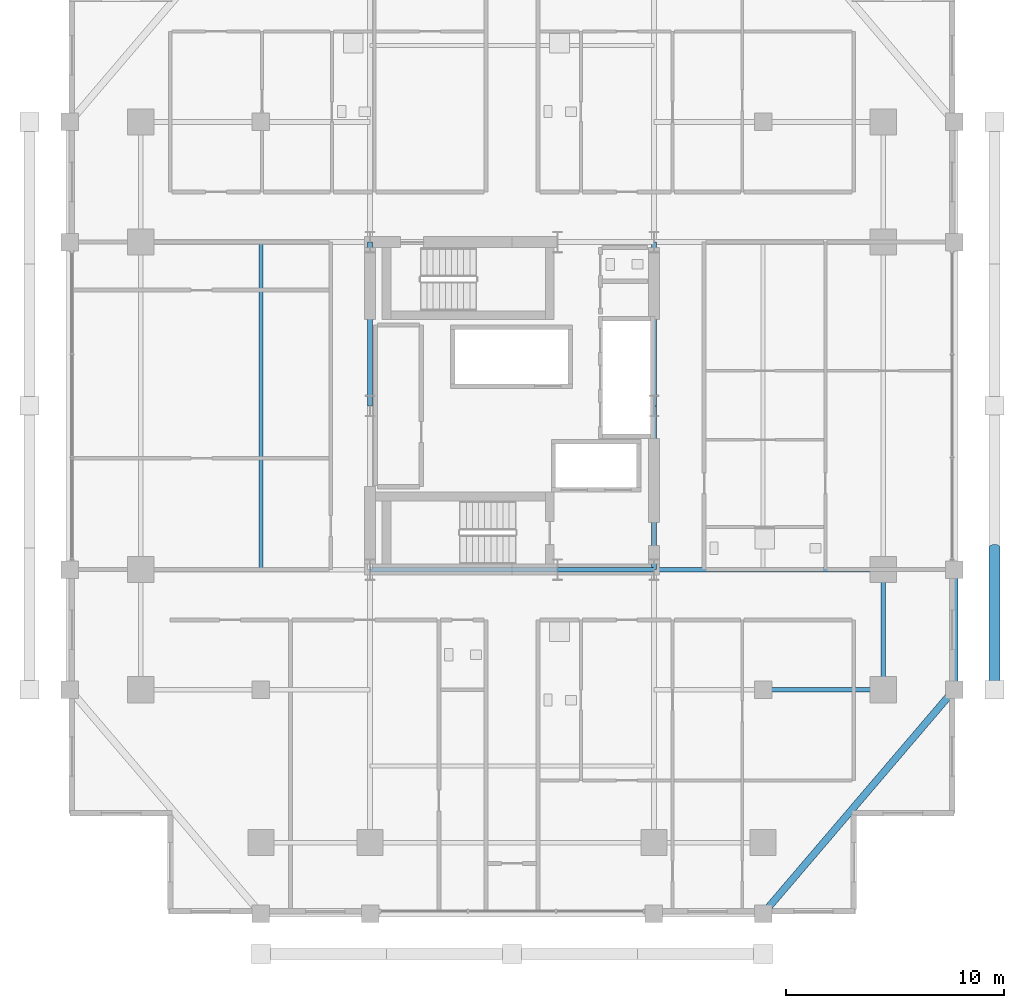
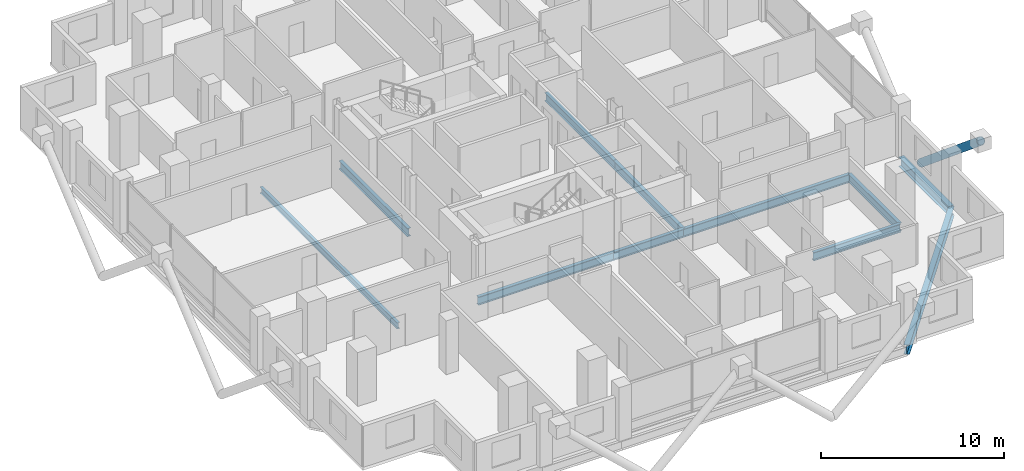
# One storey, part 7 of 23: 11 beams, 1 member.
"""IFC4 building model written with IfcOpenShell, lengths in metres."""

from ifc_helpers import new_model, si_unit, direction, frame, origin, origin_2d, place, context, subcontext, project, spatial, hollow_circle, i_section, extrude, material, material_profile, profile_set, type_object, element, save


model = new_model("IFC4")

# Units and contexts
model_context = context("Model", 3, precision=1e-05, world=origin(), true_north=direction((0.0, 1.0)))
body_context = subcontext(model_context, "Body", "Model", "MODEL_VIEW")
ifc_project = project(units=[si_unit("LENGTHUNIT", "METRE"), si_unit("AREAUNIT", "SQUARE_METRE"), si_unit("VOLUMEUNIT", "CUBIC_METRE"), si_unit("PLANEANGLEUNIT", "RADIAN"), si_unit("MASSUNIT", "GRAM", prefix="KILO")], contexts=[model_context])

# Site, building, storey
site_placement = place(None, origin())
site = spatial("IfcSite", under=ifc_project, at=site_placement, CompositionType="ELEMENT")
building_placement = place(site_placement, origin())
building = spatial("IfcBuilding", under=site, at=building_placement, Name="Barlavira Tower and Art Museum", CompositionType="ELEMENT")
storey_placement = place(building_placement, frame((0.0, 0.0, 151.199951171875)))
storey = spatial("IfcBuildingStorey", under=building, at=storey_placement, Name="L38", CompositionType="ELEMENT", Elevation=151.199951171875)

# Member
ifc_material = material(Name="Steel S355", Category="steel")
ifc_material_profile_1 = material_profile(ifc_material, hollow_circle(Radius=0.25390625, WallThickness=0.022216796875, at=origin_2d()), Name="CHS 508.0x22.2")
ifc_profile_set_1 = profile_set([ifc_material_profile_1], Name="Steel S355")
member_type = type_object("IfcMemberType", Name="Pale-Metal Exoskeleton Diagrid Tube CHS 508x22 Steel S355", PredefinedType="BRACE", material=ifc_profile_set_1)
member_placement = place(storey_placement, frame((22.10009765625, -6.5, -1.919921875), z_axis=(0.0, -0.769196053329, 0.639012857104), x_axis=(1.0, 0.0, 0.0)))
element("IfcMember", 1, at=member_placement, inside=storey, type_object=member_type, Name="L38 Exoskeleton Diagrid Tube E", PredefinedType="BRACE", context=body_context, shape_type="SweptSolid", body=[
    extrude(hollow_circle(Radius=0.25390625, WallThickness=0.022216796875, at=origin_2d()), origin(), (0.0, 0.0, 1.0), 8.450439453125),
])

# Beams
ifc_material_profile_2 = material_profile(ifc_material, i_section(OverallWidth=0.327880859375, OverallDepth=0.62890625, WebThickness=0.013916015625, FlangeThickness=0.021484375, at=origin_2d()), Name="W610x174.0")
ifc_profile_set_2 = profile_set([ifc_material_profile_2], Name="Steel S355")
beam_type_1 = type_object("IfcBeamType", Name="Perimeter Spandrel Edge Beam W610x174 Steel S355", PredefinedType="SPANDREL", material=ifc_profile_set_2)
beam_1_placement = place(storey_placement, frame((11.5, -23.25, -0.534423828125), z_axis=(0.649262379928, 0.760564502202, 0.0), x_axis=(-0.760564502202, 0.649262379928, 0.0)))
element("IfcBeam", 2, at=beam_1_placement, inside=storey, type_object=beam_type_1, Name="L38 Spandrel 4", PredefinedType="SPANDREL", context=body_context, shape_type="SweptSolid", body=[
    extrude(i_section(OverallWidth=0.327880859375, OverallDepth=0.62890625, WebThickness=0.013916015625, FlangeThickness=0.021484375, at=origin_2d()), origin(), (0.0, 0.0, 1.0), 13.476806640625),
])
beam_2_placement = place(storey_placement, frame((20.25, -13.0, -0.534423828125), z_axis=(0.0, 1.0, 0.0), x_axis=(-1.0, 0.0, 0.0)))
element("IfcBeam", 3, at=beam_2_placement, inside=storey, type_object=beam_type_1, Name="L38 Spandrel 5", PredefinedType="SPANDREL", context=body_context, shape_type="SweptSolid", body=[
    extrude(i_section(OverallWidth=0.327880859375, OverallDepth=0.62890625, WebThickness=0.013916015625, FlangeThickness=0.021484375, at=origin_2d()), origin(), (0.0, 0.0, 1.0), 5.5),
])
ifc_material_profile_3 = material_profile(ifc_material, i_section(OverallWidth=0.214111328125, OverallDepth=0.549072265625, WebThickness=0.0146484375, FlangeThickness=0.023681640625, at=origin_2d()), Name="W530x138.0")
ifc_profile_set_3 = profile_set([ifc_material_profile_3], Name="Steel S355")
beam_type_2 = type_object("IfcBeamType", Name="Zone 1 Primary Floor Girder W530x138 Steel S355", PredefinedType="BEAM", material=ifc_profile_set_3)
beam_3_placement = place(storey_placement, frame((-6.5, -7.5, -0.494384765625), z_axis=(1.0, 0.0, 0.0), x_axis=(0.0, 1.0, 0.0)))
element("IfcBeam", 4, at=beam_3_placement, inside=storey, type_object=beam_type_2, Name="L38 Girder C-S1", PredefinedType="BEAM", context=body_context, shape_type="SweptSolid", body=[
    extrude(i_section(OverallWidth=0.214111328125, OverallDepth=0.549072265625, WebThickness=0.0146484375, FlangeThickness=0.023681640625, at=origin_2d()), origin(), (0.0, 0.0, 1.0), 8.580078125),
])
beam_4_placement = place(storey_placement, frame((2.080078125, -7.5, -0.494384765625), z_axis=(1.0, 0.0, 0.0), x_axis=(0.0, 1.0, 0.0)))
element("IfcBeam", 5, at=beam_4_placement, inside=storey, type_object=beam_type_2, Name="L38 Girder C-S2", PredefinedType="BEAM", context=body_context, shape_type="SweptSolid", body=[
    extrude(i_section(OverallWidth=0.214111328125, OverallDepth=0.549072265625, WebThickness=0.0146484375, FlangeThickness=0.023681640625, at=origin_2d()), origin(), (0.0, 0.0, 1.0), 4.419921875),
])
for number, where, z_axis, x_axis, name in (
    (6, (-6.5, 0.0, -0.494384765625), (0.0, 1.0, 0.0), (-1.0, 0.0, 0.0), "L38 Girder C-W2"),
    (7, (6.5, -7.5, -0.494384765625), (0.0, 1.0, 0.0), (-1.0, 0.0, 0.0), "L38 Girder C-E1"),
    (8, (6.5, 0.0, -0.494384765625), (0.0, 1.0, 0.0), (-1.0, 0.0, 0.0), "L38 Girder C-E2"),
):
    element("IfcBeam", number, at=place(storey_placement, frame(where, z_axis=z_axis, x_axis=x_axis)), inside=storey, type_object=beam_type_2, Name=name, PredefinedType="BEAM", context=body_context, shape_type="SweptSolid", body=[
        extrude(i_section(OverallWidth=0.214111328125, OverallDepth=0.549072265625, WebThickness=0.0146484375, FlangeThickness=0.023681640625, at=origin_2d()), origin(), (0.0, 0.0, 1.0), 7.5),
    ])
beam_5_placement = place(storey_placement, frame((17.0, -13.0, -0.494384765625), z_axis=(0.0, 1.0, 0.0), x_axis=(-1.0, 0.0, 0.0)))
element("IfcBeam", 9, at=beam_5_placement, inside=storey, type_object=beam_type_2, Name="L38 Girder M-E1", PredefinedType="BEAM", context=body_context, shape_type="SweptSolid", body=[
    extrude(i_section(OverallWidth=0.214111328125, OverallDepth=0.549072265625, WebThickness=0.0146484375, FlangeThickness=0.023681640625, at=origin_2d()), origin(), (0.0, 0.0, 1.0), 5.5),
])
beam_6_placement = place(storey_placement, frame((6.5, -7.5, -0.494384765625), z_axis=(1.0, 0.0, 0.0), x_axis=(0.0, 1.0, 0.0)))
element("IfcBeam", 10, at=beam_6_placement, inside=storey, type_object=beam_type_2, Name="L38 Girder R-E1", PredefinedType="BEAM", context=body_context, shape_type="SweptSolid", body=[
    extrude(i_section(OverallWidth=0.214111328125, OverallDepth=0.549072265625, WebThickness=0.0146484375, FlangeThickness=0.023681640625, at=origin_2d()), origin(), (0.0, 0.0, 1.0), 10.5),
])
beam_7_placement = place(storey_placement, frame((11.5, -13.0, -0.494384765625), z_axis=(1.0, 0.0, 0.0), x_axis=(0.0, 1.0, 0.0)))
element("IfcBeam", 11, at=beam_7_placement, inside=storey, type_object=beam_type_2, Name="L38 Girder I-S4", PredefinedType="BEAM", context=body_context, shape_type="SweptSolid", body=[
    extrude(i_section(OverallWidth=0.214111328125, OverallDepth=0.549072265625, WebThickness=0.0146484375, FlangeThickness=0.023681640625, at=origin_2d()), origin(), (0.0, 0.0, 1.0), 5.5),
])
ifc_material_profile_4 = material_profile(ifc_material, i_section(OverallWidth=0.179931640625, OverallDepth=0.4130859375, WebThickness=0.009765625, FlangeThickness=0.01611328125, at=origin_2d()), Name="W410x75.0")
ifc_profile_set_4 = profile_set([ifc_material_profile_4], Name="Steel S355")
beam_type_3 = type_object("IfcBeamType", Name="Zone 2 Composite Floor Joist W410x75 Steel S355", PredefinedType="JOIST", material=ifc_profile_set_4)
beam_8_placement = place(storey_placement, frame((-11.5, -7.5, -0.426513671875), z_axis=(0.0, 1.0, 0.0), x_axis=(-1.0, 0.0, 0.0)))
element("IfcBeam", 12, at=beam_8_placement, inside=storey, type_object=beam_type_3, Name="L38 Joist W1", PredefinedType="JOIST", context=body_context, shape_type="SweptSolid", body=[
    extrude(i_section(OverallWidth=0.179931640625, OverallDepth=0.4130859375, WebThickness=0.009765625, FlangeThickness=0.01611328125, at=origin_2d()), origin(), (0.0, 0.0, 1.0), 15.0),
])

save(model, "model.ifc")
